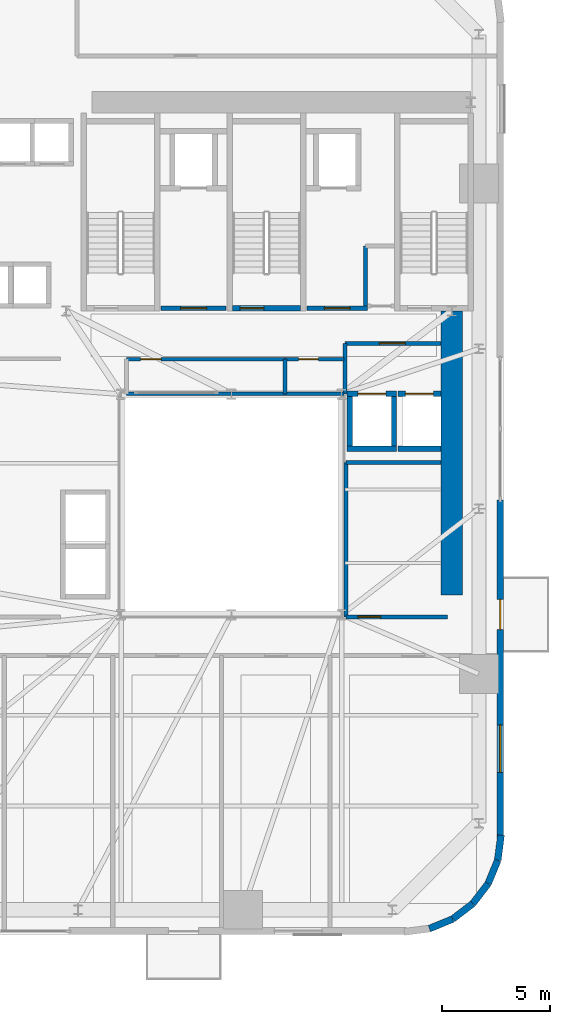
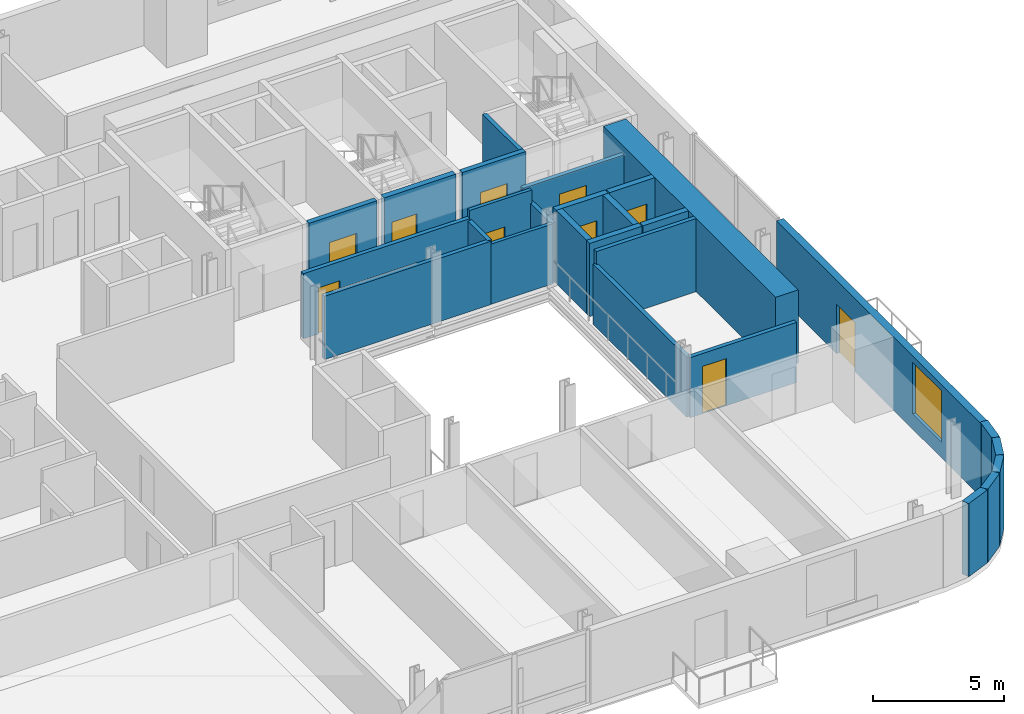
# One storey, part 7 of 13: 27 walls, 10 doors, 1 window, 11 openings.
"""IFC4 building model written with IfcOpenShell, lengths in metres."""

from ifc_helpers import new_model, si_unit, direction, frame, frame_2d, origin, place, context, subcontext, project, spatial, rectangle, extrude, source, transform, mapped, material, layer, layer_set, type_object, element, fill, save


model = new_model("IFC4")

# Units and contexts
model_context = context("Model", 3, precision=1e-05, world=origin(), true_north=direction((0.0, 1.0)))
body_context = subcontext(model_context, "Body", "Model", "MODEL_VIEW")
ifc_project = project(units=[si_unit("LENGTHUNIT", "METRE"), si_unit("AREAUNIT", "SQUARE_METRE"), si_unit("VOLUMEUNIT", "CUBIC_METRE"), si_unit("PLANEANGLEUNIT", "RADIAN"), si_unit("MASSUNIT", "GRAM", prefix="KILO")], contexts=[model_context])

# Site, building, storey
site_placement = place(None, origin())
site = spatial("IfcSite", under=ifc_project, at=site_placement, CompositionType="ELEMENT")
building_placement = place(site_placement, origin())
building = spatial("IfcBuilding", under=site, at=building_placement, Name="Vardaveli Station Tower", CompositionType="ELEMENT")
storey_placement = place(building_placement, frame((0.0, 0.0, 38.550048828125)))
storey = spatial("IfcBuildingStorey", under=building, at=storey_placement, Name="L09", CompositionType="ELEMENT", Elevation=38.550048828125)

# Wall
ifc_material_1 = material(Name="Concrete C60/75", Category="concrete")
ifc_layer_1 = layer(ifc_material_1, 1.0, Name="Concrete C60/75")
ifc_layer_set_1 = layer_set([ifc_layer_1], Name="Concrete C60/75")
wall_type_1 = type_object("IfcWallType", Name="WAL-CORE-1000", PredefinedType="SHEAR", material=ifc_layer_set_1)
shared_shape_1 = source(origin(), body_context, "Body", "SweptSolid", [
    extrude(rectangle(XDim=13.14990234375, YDim=1.0, at=frame_2d((6.574951171875, 0.0))), origin(), (0.0, 0.0, 1.0), 3.409912109375),
])
wall_1_placement = place(storey_placement, frame((46.5, 17.5, 0.0), z_axis=(0.0, 0.0, 1.0), x_axis=(0.0, 1.0, 0.0)))
element("IfcWall", 1, at=wall_1_placement, inside=storey, type_object=wall_type_1, Name="SW-L09-EAST2", PredefinedType="SHEAR", context=body_context, shape_type="MappedRepresentation", body=[
    mapped(shared_shape_1, transform((0.0, 0.0, 0.0), scale=1.0)),
])

# Wall, openings, door, window
ifc_material_2 = material(Name="Precast concrete C45/55", Category="concrete")
ifc_layer_2 = layer(ifc_material_2, 0.320068359375, Name="Precast concrete C45/55")
ifc_layer_set_2 = layer_set([ifc_layer_2], Name="Precast concrete C45/55")
wall_type_2 = type_object("IfcWallType", Name="WAL-EXT-STONE-320", PredefinedType="SOLIDWALL", material=ifc_layer_set_2)
shared_shape_2 = source(origin(), body_context, "Body", "SweptSolid", [
    extrude(rectangle(XDim=15.599853515625, YDim=0.320068359375, at=frame_2d((7.7998046875, 0.0))), origin(), (0.0, 0.0, 1.0), 3.409912109375),
])
wall_2_placement = place(storey_placement, frame((48.739990234375, 6.300048828125, 0.0), z_axis=(0.0, 0.0, 1.0), x_axis=(0.0, 1.0, 0.0)))
wall_2 = element("IfcWall", 2, at=wall_2_placement, inside=storey, type_object=wall_type_2, Name="EW-L09-E1", PredefinedType="SOLIDWALL", context=body_context, shape_type="MappedRepresentation", body=[
    mapped(shared_shape_2, transform((0.0, 0.0, 0.0), scale=1.0)),
])
shared_shape_3 = source(origin(), body_context, "Body", "SweptSolid", [
    extrude(rectangle(XDim=1.39990234375, YDim=2.300048828125, at=frame_2d((0.699951171875, 1.14990234375))), frame((0.0, 0.169921875, 0.0), z_axis=(0.0, -1.0, 0.0), x_axis=(1.0, 0.0, 0.0)), (0.0, 0.0, 1.0), 0.340087890625),
])
opening_1_placement = place(wall_2_placement, frame((9.6103515625, 0.0, 0.0)))
opening_1 = element("IfcOpeningElement", 3, at=opening_1_placement, cuts=wall_2, Name="Opening D-09", PredefinedType="OPENING", context=body_context, shape_type="MappedRepresentation", body=[
    mapped(shared_shape_3, transform((0.0, 0.0, 0.0), scale=1.0)),
])
shared_shape_4 = source(origin(), body_context, "Body", "SweptSolid", [
    extrude(rectangle(XDim=2.199951171875, YDim=2.39990234375, at=frame_2d((1.10009765625, 1.199951171875))), frame((0.0, 0.169921875, 0.0), z_axis=(0.0, -1.0, 0.0), x_axis=(1.0, 0.0, 0.0)), (0.0, 0.0, 1.0), 0.340087890625),
])
opening_2_placement = place(wall_2_placement, frame((3.0048828125, 0.0, 0.719970703125)))
opening_2 = element("IfcOpeningElement", 4, at=opening_2_placement, cuts=wall_2, Name="Opening W-03", PredefinedType="OPENING", context=body_context, shape_type="MappedRepresentation", body=[
    mapped(shared_shape_4, transform((0.0, 0.0, 0.0), scale=1.0)),
])
ifc_material_3 = material(Name="Thermally broken aluminium glass", Category="aluminium")
door_type_1 = type_object("IfcDoorType", Name="DR-LOG-1400x2300", OperationType="DOUBLE_DOOR_SLIDING", PredefinedType="DOOR", material=ifc_material_3)
shared_shape_5 = source(origin(), body_context, "Body", "SweptSolid", [
    extrude(rectangle(XDim=1.39990234375, YDim=2.300048828125, at=frame_2d((0.699951171875, 1.14990234375))), frame((0.0, 0.02490234375, 0.0), z_axis=(0.0, -1.0, 0.0), x_axis=(1.0, 0.0, 0.0)), (0.0, 0.0, 1.0), 0.050048828125),
])
door_1_placement = place(opening_1_placement, frame((1.39990234375, 0.0, 0.0), z_axis=(0.0, 0.0, 1.0), x_axis=(-1.0, 0.0, 0.0)))
door_1 = element("IfcDoor", 5, at=door_1_placement, inside=storey, type_object=door_type_1, Name="DLG-L09-E", OperationType="DOUBLE_DOOR_SLIDING", OverallHeight=2.300048828125, OverallWidth=1.39990234375, PredefinedType="DOOR", context=body_context, shape_type="MappedRepresentation", body=[
    mapped(shared_shape_5, transform((0.0, 0.0, 0.0), scale=1.0)),
])
fill(opening_1, door_1)
ifc_material_4 = material(Name="Low-E solar-control glass", Category="glass")
window_type = type_object("IfcWindowType", Name="WIN-LOG-2200x2400", PartitioningType="SINGLE_PANEL", PredefinedType="WINDOW", material=ifc_material_4)
shared_shape_6 = source(origin(), body_context, "Body", "SweptSolid", [
    extrude(rectangle(XDim=2.199951171875, YDim=2.39990234375, at=frame_2d((1.10009765625, 1.199951171875))), frame((0.0, 0.030029296875, 0.0), z_axis=(0.0, -1.0, 0.0), x_axis=(1.0, 0.0, 0.0)), (0.0, 0.0, 1.0), 0.06005859375),
])
window_placement = place(opening_2_placement, origin())
window = element("IfcWindow", 6, at=window_placement, inside=storey, type_object=window_type, Name="WN-L09-E1", OverallHeight=2.39990234375, OverallWidth=2.199951171875, PartitioningType="SINGLE_PANEL", PredefinedType="WINDOW", context=body_context, shape_type="MappedRepresentation", body=[
    mapped(shared_shape_6, transform((0.0, 0.0, 0.0), scale=1.0)),
])
fill(opening_2, window)

# Walls
shared_shape_7 = source(origin(), body_context, "Body", "SweptSolid", [
    extrude(rectangle(XDim=1.170654296875, YDim=0.320068359375, at=frame_2d((0.58544921875, 0.0))), origin(), (0.0, 0.0, 1.0), 3.409912109375),
])
wall_3_placement = place(storey_placement, frame((48.62548828125, 5.23974609375, 0.0), z_axis=(0.0, 0.0, 1.0), x_axis=(0.128269133229, 0.991739395941, 0.0)))
element("IfcWall", 7, at=wall_3_placement, inside=storey, type_object=wall_type_2, Name="EW-L09-CR2-6", PredefinedType="SOLIDWALL", context=body_context, shape_type="MappedRepresentation", body=[
    mapped(shared_shape_7, transform((0.0, 0.0, 0.0), scale=1.0)),
])
shared_shape_8 = source(origin(), body_context, "Body", "SweptSolid", [
    extrude(rectangle(XDim=1.1689453125, YDim=0.320068359375, at=frame_2d((0.58447265625, 0.0))), origin(), (0.0, 0.0, 1.0), 3.409912109375),
])
for number, where, z_axis, x_axis, name in (
    (8, (47.46875, 3.231201171875, 0.0), (0.0, 0.0, 1.0), (0.608387696831, 0.793639975269, 0.0), "EW-L09-CR2-4"),
    (9, (48.179931640625, 4.158935546875, 0.0), (0.0, 0.0, 1.0), (0.381127904695, 0.924522320046, 0.0), "EW-L09-CR2-5"),
):
    element("IfcWall", number, at=place(storey_placement, frame(where, z_axis=z_axis, x_axis=x_axis)), inside=storey, type_object=wall_type_2, Name=name, PredefinedType="SOLIDWALL", context=body_context, shape_type="MappedRepresentation", body=[
        mapped(shared_shape_8, transform((0.0, 0.0, 0.0), scale=1.0)),
    ])
shared_shape_9 = source(origin(), body_context, "Body", "SweptSolid", [
    extrude(rectangle(XDim=1.168701171875, YDim=0.320068359375, at=frame_2d((0.58447265625, 0.0))), origin(), (0.0, 0.0, 1.0), 3.409912109375),
])
wall_4_placement = place(storey_placement, frame((46.541259765625, 2.520263671875, 0.0), z_axis=(0.0, 0.0, 1.0), x_axis=(0.793663520347, 0.608356981114, 0.0)))
element("IfcWall", 10, at=wall_4_placement, inside=storey, type_object=wall_type_2, Name="EW-L09-CR2-3", PredefinedType="SOLIDWALL", context=body_context, shape_type="MappedRepresentation", body=[
    mapped(shared_shape_9, transform((0.0, 0.0, 0.0), scale=1.0)),
])
shared_shape_10 = source(origin(), body_context, "Body", "SweptSolid", [
    extrude(rectangle(XDim=1.16943359375, YDim=0.320068359375, at=frame_2d((0.584716796875, 0.0))), origin(), (0.0, 0.0, 1.0), 3.409912109375),
])
wall_5_placement = place(storey_placement, frame((45.460205078125, 2.074462890625, 0.0), z_axis=(0.0, 0.0, 1.0), x_axis=(0.924479075121, 0.381232789334, 0.0)))
element("IfcWall", 11, at=wall_5_placement, inside=storey, type_object=wall_type_2, Name="EW-L09-CR2-2", PredefinedType="SOLIDWALL", context=body_context, shape_type="MappedRepresentation", body=[
    mapped(shared_shape_10, transform((0.0, 0.0, 0.0), scale=1.0)),
])

# Wall, opening, door
ifc_material_5 = material(Name="Concrete C40/50", Category="concrete")
ifc_layer_3 = layer(ifc_material_5, 0.25, Name="Concrete C40/50")
ifc_layer_set_3 = layer_set([ifc_layer_3], Name="Concrete C40/50")
wall_type_3 = type_object("IfcWallType", Name="WAL-SHAFT-250", PredefinedType="SOLIDWALL", material=ifc_layer_set_3)
shared_shape_11 = source(origin(), body_context, "Body", "SweptSolid", [
    extrude(rectangle(XDim=3.14990234375, YDim=0.25, at=frame_2d((1.574951171875, 0.0))), origin(), (0.0, 0.0, 1.0), 3.449951171875),
])
wall_6_placement = place(storey_placement, frame((36.35009765625, 30.77490234375, 0.0), z_axis=(0.0, 0.0, 1.0), x_axis=(1.0, 0.0, 0.0)))
wall_6 = element("IfcWall", 12, at=wall_6_placement, inside=storey, type_object=wall_type_3, Name="W-L09-ST-2S", PredefinedType="SOLIDWALL", context=body_context, shape_type="MappedRepresentation", body=[
    mapped(shared_shape_11, transform((0.0, 0.0, 0.0), scale=1.0)),
])
shared_shape_12 = source(origin(), body_context, "Body", "SweptSolid", [
    extrude(rectangle(XDim=1.10009765625, YDim=2.199951171875, at=frame_2d((0.550048828125, 1.10009765625))), frame((0.0, 0.135009765625, 0.0), z_axis=(0.0, -1.0, 0.0), x_axis=(1.0, 0.0, 0.0)), (0.0, 0.0, 1.0), 0.27001953125),
])
opening_3_placement = place(wall_6_placement, frame((0.35009765625, 0.0, 0.0)))
opening_3 = element("IfcOpeningElement", 13, at=opening_3_placement, cuts=wall_6, Name="Opening D-04", PredefinedType="OPENING", context=body_context, shape_type="MappedRepresentation", body=[
    mapped(shared_shape_12, transform((0.0, 0.0, 0.0), scale=1.0)),
])
ifc_material_6 = material(Name="Steel smokeproof fire doorset", Category="steel")
door_type_2 = type_object("IfcDoorType", Name="DR-ST-1100x2200", OperationType="NOTDEFINED", PredefinedType="DOOR", material=ifc_material_6)
shared_shape_13 = source(origin(), body_context, "Body", "SweptSolid", [
    extrude(rectangle(XDim=1.10009765625, YDim=2.199951171875, at=frame_2d((0.550048828125, 1.10009765625))), frame((0.0, 0.02490234375, 0.0), z_axis=(0.0, -1.0, 0.0), x_axis=(1.0, 0.0, 0.0)), (0.0, 0.0, 1.0), 0.050048828125),
])
door_2_placement = place(opening_3_placement, origin())
door_2 = element("IfcDoor", 14, at=door_2_placement, inside=storey, type_object=door_type_2, Name="DST-2-L09", OperationType="SINGLE_SWING_LEFT", OverallHeight=2.199951171875, OverallWidth=1.10009765625, PredefinedType="DOOR", context=body_context, shape_type="MappedRepresentation", body=[
    mapped(shared_shape_13, transform((0.0, 0.0, 0.0), scale=1.0)),
])
fill(opening_3, door_2)

ifc_layer_4 = layer(ifc_material_5, 0.219970703125, Name="Concrete C40/50")
ifc_layer_set_4 = layer_set([ifc_layer_4], Name="Concrete C40/50")
wall_type_4 = type_object("IfcWallType", Name="WAL-FFLOBBY-220", PredefinedType="SOLIDWALL", material=ifc_layer_set_4)
shared_shape_14 = source(origin(), body_context, "Body", "SweptSolid", [
    extrude(rectangle(XDim=3.0, YDim=0.219970703125, at=frame_2d((1.5, 0.0))), origin(), (0.0, 0.0, 1.0), 3.409912109375),
])
wall_7_placement = place(storey_placement, frame((33.050048828125, 30.780029296875, 0.0), z_axis=(0.0, 0.0, 1.0), x_axis=(1.0, 0.0, 0.0)))
wall_7 = element("IfcWall", 15, at=wall_7_placement, inside=storey, type_object=wall_type_4, Name="W-L09-FFL1S", PredefinedType="SOLIDWALL", context=body_context, shape_type="MappedRepresentation", body=[
    mapped(shared_shape_14, transform((0.0, 0.0, 0.0), scale=1.0)),
])
shared_shape_15 = source(origin(), body_context, "Body", "SweptSolid", [
    extrude(rectangle(XDim=1.199951171875, YDim=2.199951171875, at=frame_2d((0.60009765625, 1.10009765625))), frame((0.0, 0.1201171875, 0.0), z_axis=(0.0, -1.0, 0.0), x_axis=(1.0, 0.0, 0.0)), (0.0, 0.0, 1.0), 0.239990234375),
])
opening_4_placement = place(wall_7_placement, frame((0.89990234375, 0.0, 0.0)))
opening_4 = element("IfcOpeningElement", 16, at=opening_4_placement, cuts=wall_7, Name="Opening D-03", PredefinedType="OPENING", context=body_context, shape_type="MappedRepresentation", body=[
    mapped(shared_shape_15, transform((0.0, 0.0, 0.0), scale=1.0)),
])
door_type_3 = type_object("IfcDoorType", Name="DR-FFL-1200x2200", OperationType="NOTDEFINED", PredefinedType="DOOR", material=ifc_material_6)
shared_shape_16 = source(origin(), body_context, "Body", "SweptSolid", [
    extrude(rectangle(XDim=1.199951171875, YDim=2.199951171875, at=frame_2d((0.60009765625, 1.10009765625))), frame((0.0, 0.02490234375, 0.0), z_axis=(0.0, -1.0, 0.0), x_axis=(1.0, 0.0, 0.0)), (0.0, 0.0, 1.0), 0.050048828125),
])
door_3_placement = place(opening_4_placement, origin())
door_3 = element("IfcDoor", 17, at=door_3_placement, inside=storey, type_object=door_type_3, Name="DFFL1-L09", OperationType="SINGLE_SWING_LEFT", OverallHeight=2.199951171875, OverallWidth=1.199951171875, PredefinedType="DOOR", context=body_context, shape_type="MappedRepresentation", body=[
    mapped(shared_shape_16, transform((0.0, 0.0, 0.0), scale=1.0)),
])
fill(opening_4, door_3)

shared_shape_17 = source(origin(), body_context, "Body", "SweptSolid", [
    extrude(rectangle(XDim=2.800048828125, YDim=0.219970703125, at=frame_2d((1.39990234375, 0.0))), origin(), (0.0, 0.0, 1.0), 3.409912109375),
])
wall_8_placement = place(storey_placement, frame((39.800048828125, 30.780029296875, 0.0), z_axis=(0.0, 0.0, 1.0), x_axis=(1.0, 0.0, 0.0)))
wall_8 = element("IfcWall", 18, at=wall_8_placement, inside=storey, type_object=wall_type_4, Name="W-L09-FFL2S", PredefinedType="SOLIDWALL", context=body_context, shape_type="MappedRepresentation", body=[
    mapped(shared_shape_17, transform((0.0, 0.0, 0.0), scale=1.0)),
])
opening_5_placement = place(wall_8_placement, frame((0.800048828125, 0.0, 0.0)))
opening_5 = element("IfcOpeningElement", 19, at=opening_5_placement, cuts=wall_8, Name="Opening D-03", PredefinedType="OPENING", context=body_context, shape_type="MappedRepresentation", body=[
    mapped(shared_shape_15, transform((0.0, 0.0, 0.0), scale=1.0)),
])
door_4_placement = place(opening_5_placement, origin())
door_4 = element("IfcDoor", 20, at=door_4_placement, inside=storey, type_object=door_type_3, Name="DFFL2-L09", OperationType="SINGLE_SWING_RIGHT", OverallHeight=2.199951171875, OverallWidth=1.199951171875, PredefinedType="DOOR", context=body_context, shape_type="MappedRepresentation", body=[
    mapped(shared_shape_16, transform((0.0, 0.0, 0.0), scale=1.0)),
])
fill(opening_5, door_4)

# Wall
shared_shape_18 = source(origin(), body_context, "Body", "SweptSolid", [
    extrude(rectangle(XDim=2.300048828125, YDim=0.25, at=frame_2d((1.14990234375, 0.0))), origin(), (0.0, 0.0, 1.0), 3.409912109375),
])
wall_9_placement = place(storey_placement, frame((41.64990234375, 24.27490234375, 0.0), z_axis=(0.0, 0.0, 1.0), x_axis=(1.0, 0.0, 0.0)))
element("IfcWall", 21, at=wall_9_placement, inside=storey, type_object=wall_type_3, Name="SHW-SRV-01-L09-S", PredefinedType="SOLIDWALL", context=body_context, shape_type="MappedRepresentation", body=[
    mapped(shared_shape_18, transform((0.0, 0.0, 0.0), scale=1.0)),
])

# Wall, opening, door
wall_10_placement = place(storey_placement, frame((41.64990234375, 26.824951171875, 0.0), z_axis=(0.0, 0.0, 1.0), x_axis=(1.0, 0.0, 0.0)))
wall_10 = element("IfcWall", 22, at=wall_10_placement, inside=storey, type_object=wall_type_3, Name="SHW-SRV-01-L09-N", PredefinedType="SOLIDWALL", context=body_context, shape_type="MappedRepresentation", body=[
    mapped(shared_shape_18, transform((0.0, 0.0, 0.0), scale=1.0)),
])
shared_shape_19 = source(origin(), body_context, "Body", "SweptSolid", [
    extrude(rectangle(XDim=1.300048828125, YDim=2.300048828125, at=frame_2d((0.64990234375, 1.14990234375))), frame((0.0, 0.135009765625, 0.0), z_axis=(0.0, -1.0, 0.0), x_axis=(1.0, 0.0, 0.0)), (0.0, 0.0, 1.0), 0.27001953125),
])
opening_6_placement = place(wall_10_placement, frame((0.5, 0.0, 0.0)))
opening_6 = element("IfcOpeningElement", 23, at=opening_6_placement, cuts=wall_10, Name="Opening LD-03", PredefinedType="OPENING", context=body_context, shape_type="MappedRepresentation", body=[
    mapped(shared_shape_19, transform((0.0, 0.0, 0.0), scale=1.0)),
])
ifc_material_7 = material(Name="Brushed stainless steel", Category="steel")
door_type_4 = type_object("IfcDoorType", Name="DR-LD-1300x2300", OperationType="DOUBLE_DOOR_SLIDING", PredefinedType="DOOR", material=ifc_material_7)
shared_shape_20 = source(origin(), body_context, "Body", "SweptSolid", [
    extrude(rectangle(XDim=1.300048828125, YDim=2.300048828125, at=frame_2d((0.64990234375, 1.14990234375))), frame((0.0, 0.02490234375, 0.0), z_axis=(0.0, -1.0, 0.0), x_axis=(1.0, 0.0, 0.0)), (0.0, 0.0, 1.0), 0.050048828125),
])
door_5_placement = place(opening_6_placement, origin())
door_5 = element("IfcDoor", 24, at=door_5_placement, inside=storey, type_object=door_type_4, Name="LD-SRV-01-L09", OperationType="DOUBLE_DOOR_SLIDING", OverallHeight=2.300048828125, OverallWidth=1.300048828125, PredefinedType="DOOR", context=body_context, shape_type="MappedRepresentation", body=[
    mapped(shared_shape_20, transform((0.0, 0.0, 0.0), scale=1.0)),
])
fill(opening_6, door_5)

# Walls
for number, where, z_axis, x_axis, name in (
    (25, (41.77490234375, 24.39990234375, 0.0), (0.0, 0.0, 1.0), (0.0, 1.0, 0.0), "SHW-SRV-01-L09-W"),
    (26, (43.824951171875, 24.39990234375, 0.0), (0.0, 0.0, 1.0), (0.0, 1.0, 0.0), "SHW-SRV-01-L09-E"),
):
    element("IfcWall", number, at=place(storey_placement, frame(where, z_axis=z_axis, x_axis=x_axis)), inside=storey, type_object=wall_type_3, Name=name, PredefinedType="SOLIDWALL", context=body_context, shape_type="MappedRepresentation", body=[
        mapped(shared_shape_18, transform((0.0, 0.0, 0.0), scale=1.0)),
    ])
shared_shape_21 = source(origin(), body_context, "Body", "SweptSolid", [
    extrude(rectangle(XDim=2.0, YDim=0.25, at=frame_2d((1.0, 0.0))), origin(), (0.0, 0.0, 1.0), 3.409912109375),
])
wall_11_placement = place(storey_placement, frame((44.0, 24.27490234375, 0.0), z_axis=(0.0, 0.0, 1.0), x_axis=(1.0, 0.0, 0.0)))
element("IfcWall", 27, at=wall_11_placement, inside=storey, type_object=wall_type_3, Name="SHW-SRV-02-L09-S", PredefinedType="SOLIDWALL", context=body_context, shape_type="MappedRepresentation", body=[
    mapped(shared_shape_21, transform((0.0, 0.0, 0.0), scale=1.0)),
])

# Wall, opening, door
wall_12_placement = place(storey_placement, frame((44.0, 26.824951171875, 0.0), z_axis=(0.0, 0.0, 1.0), x_axis=(1.0, 0.0, 0.0)))
wall_12 = element("IfcWall", 28, at=wall_12_placement, inside=storey, type_object=wall_type_3, Name="SHW-SRV-02-L09-N", PredefinedType="SOLIDWALL", context=body_context, shape_type="MappedRepresentation", body=[
    mapped(shared_shape_21, transform((0.0, 0.0, 0.0), scale=1.0)),
])
opening_7_placement = place(wall_12_placement, frame((0.35009765625, 0.0, 0.0)))
opening_7 = element("IfcOpeningElement", 29, at=opening_7_placement, cuts=wall_12, Name="Opening LD-03", PredefinedType="OPENING", context=body_context, shape_type="MappedRepresentation", body=[
    mapped(shared_shape_19, transform((0.0, 0.0, 0.0), scale=1.0)),
])
door_6_placement = place(opening_7_placement, origin())
door_6 = element("IfcDoor", 30, at=door_6_placement, inside=storey, type_object=door_type_4, Name="LD-SRV-02-L09", OperationType="DOUBLE_DOOR_SLIDING", OverallHeight=2.300048828125, OverallWidth=1.300048828125, PredefinedType="DOOR", context=body_context, shape_type="MappedRepresentation", body=[
    mapped(shared_shape_20, transform((0.0, 0.0, 0.0), scale=1.0)),
])
fill(opening_7, door_6)

ifc_material_8 = material(Name="Fire-rated gypsum stud partition")
ifc_layer_5 = layer(ifc_material_8, 0.179931640625, Name="Fire-rated gypsum stud partition")
ifc_layer_set_5 = layer_set([ifc_layer_5], Name="Fire-rated gypsum stud partition")
wall_type_5 = type_object("IfcWallType", Name="WAL-CORR-180", PredefinedType="PARTITIONING", material=ifc_layer_set_5)
shared_shape_22 = source(origin(), body_context, "Body", "SweptSolid", [
    extrude(rectangle(XDim=7.330078125, YDim=0.179931640625, at=frame_2d((3.6650390625, 0.0))), origin(), (0.0, 0.0, 1.0), 3.0419921875),
])
wall_13_placement = place(storey_placement, frame((31.449951171875, 28.419921875, 0.0), z_axis=(0.0, 0.0, 1.0), x_axis=(1.0, 0.0, 0.0)))
wall_13 = element("IfcWall", 31, at=wall_13_placement, inside=storey, type_object=wall_type_5, Name="W-L09-HKP0-N", PredefinedType="PARTITIONING", context=body_context, shape_type="MappedRepresentation", body=[
    mapped(shared_shape_22, transform((0.0, 0.0, 0.0), scale=1.0)),
])
shared_shape_23 = source(origin(), body_context, "Body", "SweptSolid", [
    extrude(rectangle(XDim=0.949951171875, YDim=2.14990234375, at=frame_2d((0.47509765625, 1.074951171875))), frame((0.0, 0.10009765625, 0.0), z_axis=(0.0, -1.0, 0.0), x_axis=(1.0, 0.0, 0.0)), (0.0, 0.0, 1.0), 0.199951171875),
])
opening_8_placement = place(wall_13_placement, frame((0.64990234375, 0.0, 0.0)))
opening_8 = element("IfcOpeningElement", 32, at=opening_8_placement, cuts=wall_13, Name="Opening D-06", PredefinedType="OPENING", context=body_context, shape_type="MappedRepresentation", body=[
    mapped(shared_shape_23, transform((0.0, 0.0, 0.0), scale=1.0)),
])
ifc_material_9 = material(Name="Oak veneer acoustic fire door")
door_type_5 = type_object("IfcDoorType", Name="DR-GUEST-950x2150", OperationType="NOTDEFINED", PredefinedType="DOOR", material=ifc_material_9)
shared_shape_24 = source(origin(), body_context, "Body", "SweptSolid", [
    extrude(rectangle(XDim=0.949951171875, YDim=2.14990234375, at=frame_2d((0.47509765625, 1.074951171875))), frame((0.0, 0.02490234375, 0.0), z_axis=(0.0, -1.0, 0.0), x_axis=(1.0, 0.0, 0.0)), (0.0, 0.0, 1.0), 0.050048828125),
])
door_7_placement = place(opening_8_placement, origin())
door_7 = element("IfcDoor", 33, at=door_7_placement, inside=storey, type_object=door_type_5, Name="D-L09-HKP", OperationType="SINGLE_SWING_RIGHT", OverallHeight=2.14990234375, OverallWidth=0.949951171875, PredefinedType="DOOR", context=body_context, shape_type="MappedRepresentation", body=[
    mapped(shared_shape_24, transform((0.0, 0.0, 0.0), scale=1.0)),
])
fill(opening_8, door_7)

shared_shape_25 = source(origin(), body_context, "Body", "SweptSolid", [
    extrude(rectangle(XDim=4.447998046875, YDim=0.179931640625, at=frame_2d((2.22412109375, 0.0))), origin(), (0.0, 0.0, 1.0), 3.0419921875),
])
wall_14_placement = place(storey_placement, frame((41.550048828125, 29.14990234375, 0.0), z_axis=(0.0, 0.0, 1.0), x_axis=(1.0, 0.0, 0.0)))
wall_14 = element("IfcWall", 34, at=wall_14_placement, inside=storey, type_object=wall_type_5, Name="W-L09-SVFN", PredefinedType="PARTITIONING", context=body_context, shape_type="MappedRepresentation", body=[
    mapped(shared_shape_25, transform((0.0, 0.0, 0.0), scale=1.0)),
])
shared_shape_26 = source(origin(), body_context, "Body", "SweptSolid", [
    extrude(rectangle(XDim=1.199951171875, YDim=2.199951171875, at=frame_2d((0.60009765625, 1.10009765625))), frame((0.0, 0.10009765625, 0.0), z_axis=(0.0, -1.0, 0.0), x_axis=(1.0, 0.0, 0.0)), (0.0, 0.0, 1.0), 0.199951171875),
])
opening_9_placement = place(wall_14_placement, frame((1.60009765625, 0.0, 0.0)))
opening_9 = element("IfcOpeningElement", 35, at=opening_9_placement, cuts=wall_14, Name="Opening D-03", PredefinedType="OPENING", context=body_context, shape_type="MappedRepresentation", body=[
    mapped(shared_shape_26, transform((0.0, 0.0, 0.0), scale=1.0)),
])
door_8_placement = place(opening_9_placement, origin())
door_8 = element("IfcDoor", 36, at=door_8_placement, inside=storey, type_object=door_type_3, Name="D-L09-SVF", OperationType="SINGLE_SWING_LEFT", OverallHeight=2.199951171875, OverallWidth=1.199951171875, PredefinedType="DOOR", context=body_context, shape_type="MappedRepresentation", body=[
    mapped(shared_shape_16, transform((0.0, 0.0, 0.0), scale=1.0)),
])
fill(opening_9, door_8)

shared_shape_27 = source(origin(), body_context, "Body", "SweptSolid", [
    extrude(rectangle(XDim=4.699951171875, YDim=0.179931640625, at=frame_2d((2.35009765625, 0.0))), origin(), (0.0, 0.0, 1.0), 2.802001953125),
])
wall_15_placement = place(storey_placement, frame((41.60009765625, 16.5, 0.0), z_axis=(0.0, 0.0, 1.0), x_axis=(1.0, 0.0, 0.0)))
wall_15 = element("IfcWall", 37, at=wall_15_placement, inside=storey, type_object=wall_type_5, Name="W-L09-ATE-S", PredefinedType="PARTITIONING", context=body_context, shape_type="MappedRepresentation", body=[
    mapped(shared_shape_27, transform((0.0, 0.0, 0.0), scale=1.0)),
])
shared_shape_28 = source(origin(), body_context, "Body", "SweptSolid", [
    extrude(rectangle(XDim=1.050048828125, YDim=2.199951171875, at=frame_2d((0.52490234375, 1.10009765625))), frame((0.0, 0.10009765625, 0.0), z_axis=(0.0, -1.0, 0.0), x_axis=(1.0, 0.0, 0.0)), (0.0, 0.0, 1.0), 0.199951171875),
])
opening_10_placement = place(wall_15_placement, frame((0.550048828125, 0.0, 0.0)))
opening_10 = element("IfcOpeningElement", 38, at=opening_10_placement, cuts=wall_15, Name="Opening D-05", PredefinedType="OPENING", context=body_context, shape_type="MappedRepresentation", body=[
    mapped(shared_shape_28, transform((0.0, 0.0, 0.0), scale=1.0)),
])
ifc_material_10 = material(Name="Walnut veneer acoustic fire door")
door_type_6 = type_object("IfcDoorType", Name="DR-SUITE-1050x2200", OperationType="NOTDEFINED", PredefinedType="DOOR", material=ifc_material_10)
shared_shape_29 = source(origin(), body_context, "Body", "SweptSolid", [
    extrude(rectangle(XDim=1.050048828125, YDim=2.199951171875, at=frame_2d((0.52490234375, 1.10009765625))), frame((0.0, 0.02490234375, 0.0), z_axis=(0.0, -1.0, 0.0), x_axis=(1.0, 0.0, 0.0)), (0.0, 0.0, 1.0), 0.050048828125),
])
door_9_placement = place(opening_10_placement, origin())
door_9 = element("IfcDoor", 39, at=door_9_placement, inside=storey, type_object=door_type_6, Name="D-L09-ATE1", OperationType="SINGLE_SWING_RIGHT", OverallHeight=2.199951171875, OverallWidth=1.050048828125, PredefinedType="DOOR", context=body_context, shape_type="MappedRepresentation", body=[
    mapped(shared_shape_29, transform((0.0, 0.0, 0.0), scale=1.0)),
])
fill(opening_10, door_9)

ifc_material_11 = material(Name="Moisture-resistant stud partition")
ifc_layer_6 = layer(ifc_material_11, 0.14990234375, Name="Moisture-resistant stud partition")
ifc_layer_set_6 = layer_set([ifc_layer_6], Name="Moisture-resistant stud partition")
wall_type_6 = type_object("IfcWallType", Name="WAL-WET-150", PredefinedType="PARTITIONING", material=ifc_layer_set_6)
shared_shape_30 = source(origin(), body_context, "Body", "SweptSolid", [
    extrude(rectangle(XDim=2.739990234375, YDim=0.14990234375, at=frame_2d((1.3701171875, 0.0))), origin(), (0.0, 0.0, 1.0), 3.409912109375),
])
wall_16_placement = place(storey_placement, frame((38.780029296875, 28.419921875, 0.0), z_axis=(0.0, 0.0, 1.0), x_axis=(1.0, 0.0, 0.0)))
wall_16 = element("IfcWall", 40, at=wall_16_placement, inside=storey, type_object=wall_type_6, Name="W-L09-WCA0-N", PredefinedType="PARTITIONING", context=body_context, shape_type="MappedRepresentation", body=[
    mapped(shared_shape_30, transform((0.0, 0.0, 0.0), scale=1.0)),
])
shared_shape_31 = source(origin(), body_context, "Body", "SweptSolid", [
    extrude(rectangle(XDim=0.919921875, YDim=2.10009765625, at=frame_2d((0.4599609375, 1.050048828125))), frame((0.0, 0.0849609375, 0.0), z_axis=(0.0, -1.0, 0.0), x_axis=(1.0, 0.0, 0.0)), (0.0, 0.0, 1.0), 0.169921875),
])
opening_11_placement = place(wall_16_placement, frame((0.6298828125, 0.0, 0.0)))
opening_11 = element("IfcOpeningElement", 41, at=opening_11_placement, cuts=wall_16, Name="Opening D-07", PredefinedType="OPENING", context=body_context, shape_type="MappedRepresentation", body=[
    mapped(shared_shape_31, transform((0.0, 0.0, 0.0), scale=1.0)),
])
ifc_material_12 = material(Name="Moisture-resistant hardwood door", Category="wood")
door_type_7 = type_object("IfcDoorType", Name="DR-WC-920x2100", OperationType="NOTDEFINED", PredefinedType="DOOR", material=ifc_material_12)
shared_shape_32 = source(origin(), body_context, "Body", "SweptSolid", [
    extrude(rectangle(XDim=0.919921875, YDim=2.10009765625, at=frame_2d((0.4599609375, 1.050048828125))), frame((0.0, 0.02490234375, 0.0), z_axis=(0.0, -1.0, 0.0), x_axis=(1.0, 0.0, 0.0)), (0.0, 0.0, 1.0), 0.050048828125),
])
door_10_placement = place(opening_11_placement, origin())
door_10 = element("IfcDoor", 42, at=door_10_placement, inside=storey, type_object=door_type_7, Name="D-L09-WCA", OperationType="SINGLE_SWING_LEFT", OverallHeight=2.10009765625, OverallWidth=0.919921875, PredefinedType="DOOR", context=body_context, shape_type="MappedRepresentation", body=[
    mapped(shared_shape_32, transform((0.0, 0.0, 0.0), scale=1.0)),
])
fill(opening_11, door_10)

# Walls
shared_shape_33 = source(origin(), body_context, "Body", "SweptSolid", [
    extrude(rectangle(XDim=7.330078125, YDim=0.179931640625, at=frame_2d((3.6650390625, 0.0))), origin(), (0.0, 0.0, 1.0), 2.951904296875),
])
wall_17_placement = place(storey_placement, frame((31.449951171875, 26.820068359375, 0.0), z_axis=(0.0, 0.0, 1.0), x_axis=(1.0, 0.0, 0.0)))
element("IfcWall", 43, at=wall_17_placement, inside=storey, type_object=wall_type_5, Name="W-L09-HKP0-S", PredefinedType="PARTITIONING", context=body_context, shape_type="MappedRepresentation", body=[
    mapped(shared_shape_33, transform((0.0, 0.0, 0.0), scale=1.0)),
])
shared_shape_34 = source(origin(), body_context, "Body", "SweptSolid", [
    extrude(rectangle(XDim=7.14990234375, YDim=0.179931640625, at=frame_2d((3.574951171875, 0.0))), origin(), (0.0, 0.0, 1.0), 2.802001953125),
])
wall_18_placement = place(storey_placement, frame((41.60009765625, 16.5, 0.0), z_axis=(0.0, 0.0, 1.0), x_axis=(0.0, 1.0, 0.0)))
element("IfcWall", 44, at=wall_18_placement, inside=storey, type_object=wall_type_5, Name="W-L09-ATE-W", PredefinedType="PARTITIONING", context=body_context, shape_type="MappedRepresentation", body=[
    mapped(shared_shape_34, transform((0.0, 0.0, 0.0), scale=1.0)),
])
shared_shape_35 = source(origin(), body_context, "Body", "SweptSolid", [
    extrude(rectangle(XDim=4.39794921875, YDim=0.179931640625, at=frame_2d((2.198974609375, 0.0))), origin(), (0.0, 0.0, 1.0), 3.409912109375),
])
wall_19_placement = place(storey_placement, frame((41.60009765625, 23.64990234375, 0.0), z_axis=(0.0, 0.0, 1.0), x_axis=(1.0, 0.0, 0.0)))
element("IfcWall", 45, at=wall_19_placement, inside=storey, type_object=wall_type_5, Name="W-L09-ATE-N", PredefinedType="PARTITIONING", context=body_context, shape_type="MappedRepresentation", body=[
    mapped(shared_shape_35, transform((0.0, 0.0, 0.0), scale=1.0)),
])
shared_shape_36 = source(origin(), body_context, "Body", "SweptSolid", [
    extrude(rectangle(XDim=2.7578125, YDim=0.179931640625, at=frame_2d((1.37890625, 0.0))), origin(), (0.0, 0.0, 1.0), 3.409912109375),
])
wall_20_placement = place(storey_placement, frame((42.5, 30.89208984375, 0.0), z_axis=(0.0, 0.0, 1.0), x_axis=(0.0, 1.0, 0.0)))
element("IfcWall", 46, at=wall_20_placement, inside=storey, type_object=wall_type_5, Name="W-L09-CBS0-W", PredefinedType="PARTITIONING", context=body_context, shape_type="MappedRepresentation", body=[
    mapped(shared_shape_36, transform((0.0, 0.0, 0.0), scale=1.0)),
])
shared_shape_37 = source(origin(), body_context, "Body", "SweptSolid", [
    extrude(rectangle(XDim=2.739990234375, YDim=0.14990234375, at=frame_2d((1.3701171875, 0.0))), origin(), (0.0, 0.0, 1.0), 2.802001953125),
])
wall_21_placement = place(storey_placement, frame((38.780029296875, 26.820068359375, 0.0), z_axis=(0.0, 0.0, 1.0), x_axis=(1.0, 0.0, 0.0)))
element("IfcWall", 47, at=wall_21_placement, inside=storey, type_object=wall_type_6, Name="W-L09-WCA0-S", PredefinedType="PARTITIONING", context=body_context, shape_type="MappedRepresentation", body=[
    mapped(shared_shape_37, transform((0.0, 0.0, 0.0), scale=1.0)),
])
shared_shape_38 = source(origin(), body_context, "Body", "SweptSolid", [
    extrude(rectangle(XDim=2.349853515625, YDim=0.179931640625, at=frame_2d((1.1748046875, 0.0))), origin(), (0.0, 0.0, 1.0), 2.802001953125),
])
wall_22_placement = place(storey_placement, frame((41.550048828125, 26.800048828125, 0.0), z_axis=(0.0, 0.0, 1.0), x_axis=(0.0, 1.0, 0.0)))
element("IfcWall", 48, at=wall_22_placement, inside=storey, type_object=wall_type_5, Name="W-L09-SVFW", PredefinedType="PARTITIONING", context=body_context, shape_type="MappedRepresentation", body=[
    mapped(shared_shape_38, transform((0.0, 0.0, 0.0), scale=1.0)),
])
shared_shape_39 = source(origin(), body_context, "Body", "SweptSolid", [
    extrude(rectangle(XDim=1.599853515625, YDim=0.179931640625, at=frame_2d((0.7998046875, 0.0))), origin(), (0.0, 0.0, 1.0), 2.951904296875),
])
wall_23_placement = place(storey_placement, frame((38.780029296875, 26.820068359375, 0.0), z_axis=(0.0, 0.0, 1.0), x_axis=(0.0, 1.0, 0.0)))
element("IfcWall", 49, at=wall_23_placement, inside=storey, type_object=wall_type_5, Name="W-L09-HKP0-E", PredefinedType="PARTITIONING", context=body_context, shape_type="MappedRepresentation", body=[
    mapped(shared_shape_39, transform((0.0, 0.0, 0.0), scale=1.0)),
])

save(model, "model.ifc")
